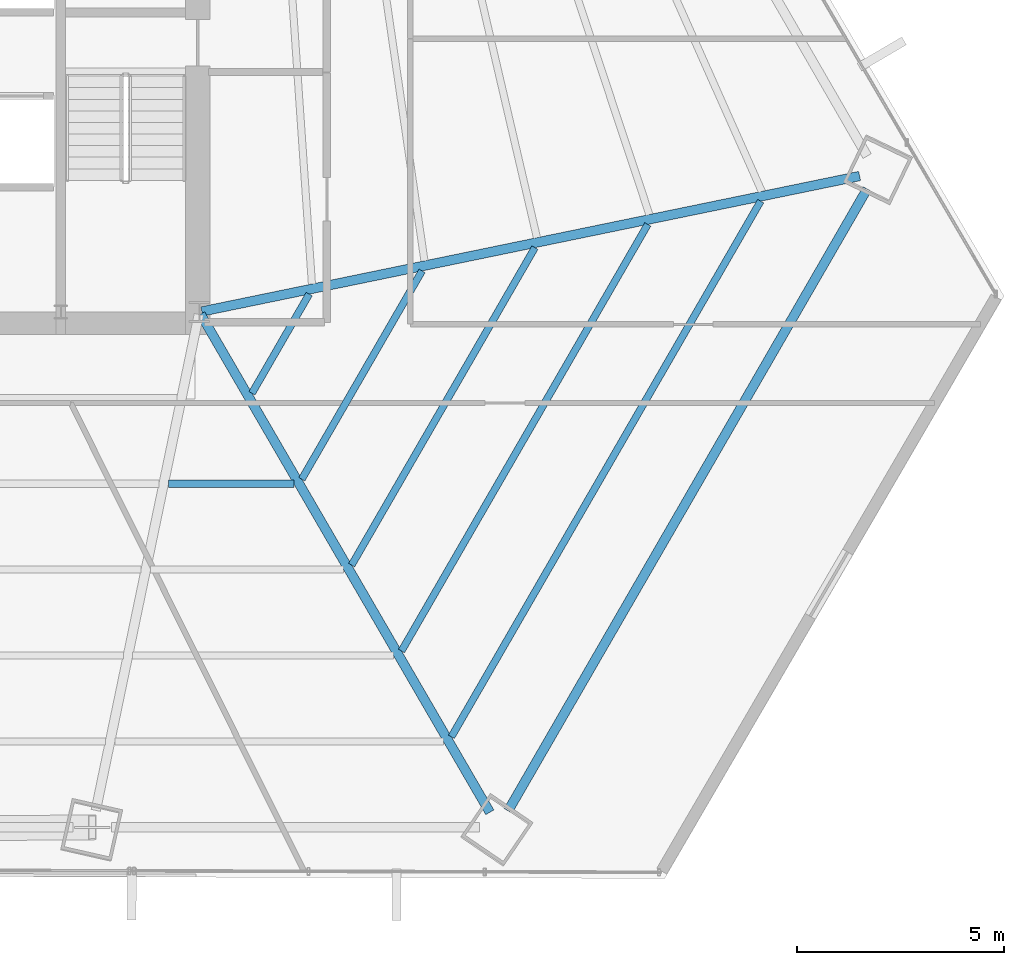
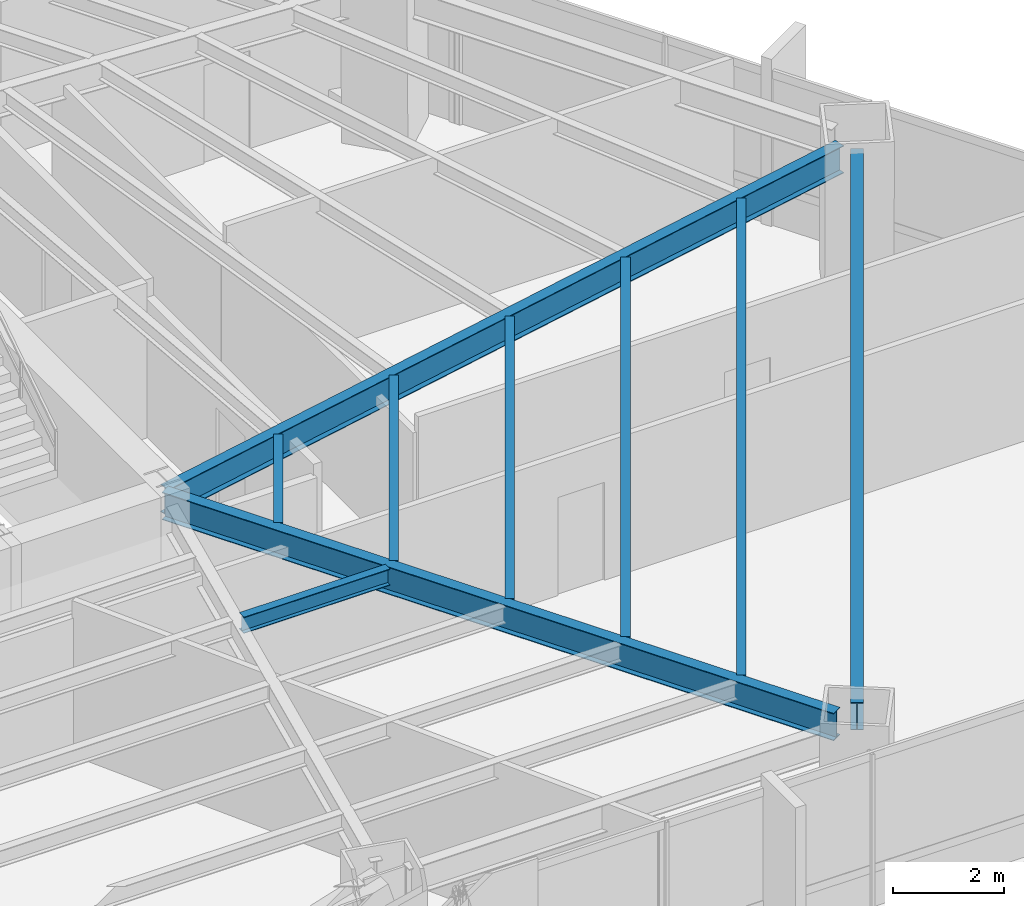
# One storey, part 13 of 29: 9 beams.
"""IFC4 building model written with IfcOpenShell, lengths in metres."""

from ifc_helpers import new_model, si_unit, direction, frame, origin, origin_2d, place, context, subcontext, project, spatial, i_section, extrude, source, transform, mapped, material, material_profile, profile_set, type_object, type_shapes, element, save


model = new_model("IFC4")

# Units and contexts
model_context = context("Model", 3, precision=1e-05, world=origin(), true_north=direction((0.0, 1.0)))
body_context = subcontext(model_context, "Body", "Model", "MODEL_VIEW")
ifc_project = project(units=[si_unit("LENGTHUNIT", "METRE"), si_unit("AREAUNIT", "SQUARE_METRE"), si_unit("VOLUMEUNIT", "CUBIC_METRE"), si_unit("PLANEANGLEUNIT", "RADIAN"), si_unit("MASSUNIT", "GRAM", prefix="KILO")], contexts=[model_context])

# Site, building, storey
site_placement = place(None, origin())
site = spatial("IfcSite", under=ifc_project, at=site_placement, CompositionType="ELEMENT")
building_placement = place(site_placement, origin())
building = spatial("IfcBuilding", under=site, at=building_placement, Name="Caelisora Broadcast Tower", CompositionType="ELEMENT")
storey_placement = place(building_placement, frame((0.0, 0.0, 31.25)))
storey = spatial("IfcBuildingStorey", under=building, at=storey_placement, Name="L07", CompositionType="ELEMENT", Elevation=31.25)

# Beams
ifc_material = material(Name="Steel Grade 350 (AS/NZS 3679.1)", Category="steel")
ifc_material_profile_1 = material_profile(ifc_material, i_section(OverallWidth=0.22900390625, OverallDepth=0.611572265625, WebThickness=0.011962890625, FlangeThickness=0.01953125, at=origin_2d()), Name="Steel Grade 350 (AS/NZS 3679.1)")
ifc_profile_set_1 = profile_set([ifc_material_profile_1], Name="Steel Grade 350 (AS/NZS 3679.1)")
beam_type_1 = type_object("IfcBeamType", Name="PG03", PredefinedType="BEAM", material=ifc_profile_set_1)
shared_shape_1 = source(origin(), body_context, "Body", "SweptSolid", [
    extrude(i_section(OverallWidth=0.22900390625, OverallDepth=0.611572265625, WebThickness=0.011962890625, FlangeThickness=0.01953125, at=origin_2d()), origin(), (0.0, 0.0, 1.0), 17.354248046875),
])
type_shapes(beam_type_1, [shared_shape_1])
beam_1_placement = place(storey_placement, frame((52.960693359375, 5.343017578125, 3.09423828125), z_axis=(0.499992798144, 0.866029561738, 0.0), x_axis=(-0.866029561738, 0.499992798144, 0.0)))
element("IfcBeam", 1, at=beam_1_placement, inside=storey, type_object=beam_type_1, Name="L07 beam PG03", PredefinedType="BEAM", context=body_context, shape_type="MappedRepresentation", body=[
    mapped(shared_shape_1, transform((0.0, 0.0, 0.0), scale=1.0)),
])
ifc_material_profile_2 = material_profile(ifc_material, i_section(OverallWidth=0.22802734375, OverallDepth=0.602294921875, WebThickness=0.010498046875, FlangeThickness=0.014892578125, at=origin_2d()), Name="Steel Grade 350 (AS/NZS 3679.1)")
ifc_profile_set_2 = profile_set([ifc_material_profile_2], Name="Steel Grade 350 (AS/NZS 3679.1)")
beam_type_2 = type_object("IfcBeamType", Name="PG04", PredefinedType="BEAM", material=ifc_profile_set_2)
shared_shape_2 = source(origin(), body_context, "Body", "SweptSolid", [
    extrude(i_section(OverallWidth=0.22802734375, OverallDepth=0.602294921875, WebThickness=0.010498046875, FlangeThickness=0.014892578125, at=origin_2d()), origin(), (0.0, 0.0, 1.0), 16.23095703125),
])
beam_2_placement = place(storey_placement, frame((45.558837890625, 17.412109375, 3.098876953125), z_axis=(0.979448828857, 0.201692815071, 0.0), x_axis=(-0.201692815071, 0.979448828857, 0.0)))
element("IfcBeam", 2, at=beam_2_placement, inside=storey, type_object=beam_type_2, Name="L07 beam PG04", PredefinedType="BEAM", context=body_context, shape_type="MappedRepresentation", body=[
    mapped(shared_shape_2, transform((0.0, 0.0, 0.0), scale=1.0)),
])
shared_shape_3 = source(origin(), body_context, "Body", "SweptSolid", [
    extrude(i_section(OverallWidth=0.22802734375, OverallDepth=0.602294921875, WebThickness=0.010498046875, FlangeThickness=0.014892578125, at=origin_2d()), origin(), (0.0, 0.0, 1.0), 13.922119140625),
])
type_shapes(beam_type_2, [shared_shape_2, shared_shape_3])
beam_3_placement = place(storey_placement, frame((45.530029296875, 17.34814453125, 3.098876953125), z_axis=(0.502061058373, -0.86483217659, 0.0), x_axis=(0.86483217659, 0.502061058373, 0.0)))
element("IfcBeam", 3, at=beam_3_placement, inside=storey, type_object=beam_type_2, Name="L07 beam PG04", PredefinedType="BEAM", context=body_context, shape_type="MappedRepresentation", body=[
    mapped(shared_shape_3, transform((0.0, 0.0, 0.0), scale=1.0)),
])
ifc_material_profile_3 = material_profile(ifc_material, i_section(OverallWidth=0.172119140625, OverallDepth=0.358642578125, WebThickness=0.008056640625, FlangeThickness=0.012939453125, at=origin_2d()), Name="Steel Grade 350 (AS/NZS 3679.1)")
ifc_profile_set_3 = profile_set([ifc_material_profile_3], Name="Steel Grade 350 (AS/NZS 3679.1)")
beam_type_3 = type_object("IfcBeamType", Name="SB02", PredefinedType="JOIST", material=ifc_profile_set_3)
shared_shape_4 = source(origin(), body_context, "Body", "SweptSolid", [
    extrude(i_section(OverallWidth=0.172119140625, OverallDepth=0.358642578125, WebThickness=0.008056640625, FlangeThickness=0.012939453125, at=origin_2d()), origin(), (0.0, 0.0, 1.0), 2.767822265625),
])
beam_4_placement = place(storey_placement, frame((46.769287109375, 15.435302734375, 3.220703125), z_axis=(0.500038041997, 0.866003439113, 0.0), x_axis=(-0.866003439113, 0.500038041997, 0.0)))
element("IfcBeam", 4, at=beam_4_placement, inside=storey, type_object=beam_type_3, Name="L07 beam SB02", PredefinedType="JOIST", context=body_context, shape_type="MappedRepresentation", body=[
    mapped(shared_shape_4, transform((0.0, 0.0, 0.0), scale=1.0)),
])
shared_shape_5 = source(origin(), body_context, "Body", "SweptSolid", [
    extrude(i_section(OverallWidth=0.172119140625, OverallDepth=0.358642578125, WebThickness=0.008056640625, FlangeThickness=0.012939453125, at=origin_2d()), origin(), (0.0, 0.0, 1.0), 5.813232421875),
])
beam_5_placement = place(storey_placement, frame((47.974609375, 13.359619140625, 3.220703125), z_axis=(0.499982993942, 0.866035222014, 0.0), x_axis=(-0.866035222014, 0.499982993942, 0.0)))
element("IfcBeam", 5, at=beam_5_placement, inside=storey, type_object=beam_type_3, Name="L07 beam SB02", PredefinedType="JOIST", context=body_context, shape_type="MappedRepresentation", body=[
    mapped(shared_shape_5, transform((0.0, 0.0, 0.0), scale=1.0)),
])
shared_shape_6 = source(origin(), body_context, "Body", "SweptSolid", [
    extrude(i_section(OverallWidth=0.172119140625, OverallDepth=0.358642578125, WebThickness=0.008056640625, FlangeThickness=0.012939453125, at=origin_2d()), origin(), (0.0, 0.0, 1.0), 8.85888671875),
])
beam_6_placement = place(storey_placement, frame((49.1796875, 11.28369140625, 3.220703125), z_axis=(0.499995200475, 0.866028174774, 0.0), x_axis=(-0.866028174774, 0.499995200475, 0.0)))
element("IfcBeam", 6, at=beam_6_placement, inside=storey, type_object=beam_type_3, Name="L07 beam SB02", PredefinedType="JOIST", context=body_context, shape_type="MappedRepresentation", body=[
    mapped(shared_shape_6, transform((0.0, 0.0, 0.0), scale=1.0)),
])
shared_shape_7 = source(origin(), body_context, "Body", "SweptSolid", [
    extrude(i_section(OverallWidth=0.172119140625, OverallDepth=0.358642578125, WebThickness=0.008056640625, FlangeThickness=0.012939453125, at=origin_2d()), origin(), (0.0, 0.0, 1.0), 11.90478515625),
])
beam_7_placement = place(storey_placement, frame((50.384765625, 9.207763671875, 3.220703125), z_axis=(0.500001160984, 0.866024733489, 0.0), x_axis=(-0.866024733489, 0.500001160984, 0.0)))
element("IfcBeam", 7, at=beam_7_placement, inside=storey, type_object=beam_type_3, Name="L07 beam SB02", PredefinedType="JOIST", context=body_context, shape_type="MappedRepresentation", body=[
    mapped(shared_shape_7, transform((0.0, 0.0, 0.0), scale=1.0)),
])
shared_shape_8 = source(origin(), body_context, "Body", "SweptSolid", [
    extrude(i_section(OverallWidth=0.172119140625, OverallDepth=0.358642578125, WebThickness=0.008056640625, FlangeThickness=0.012939453125, at=origin_2d()), origin(), (0.0, 0.0, 1.0), 14.950439453125),
])
beam_8_placement = place(storey_placement, frame((51.58984375, 7.1318359375, 3.220703125), z_axis=(0.500004692883, 0.86602269433, 0.0), x_axis=(-0.86602269433, 0.500004692883, 0.0)))
element("IfcBeam", 8, at=beam_8_placement, inside=storey, type_object=beam_type_3, Name="L07 beam SB02", PredefinedType="JOIST", context=body_context, shape_type="MappedRepresentation", body=[
    mapped(shared_shape_8, transform((0.0, 0.0, 0.0), scale=1.0)),
])
shared_shape_9 = source(origin(), body_context, "Body", "SweptSolid", [
    extrude(i_section(OverallWidth=0.172119140625, OverallDepth=0.358642578125, WebThickness=0.008056640625, FlangeThickness=0.012939453125, at=origin_2d()), origin(), (0.0, 0.0, 1.0), 3.031494140625),
])
type_shapes(beam_type_3, [shared_shape_4, shared_shape_5, shared_shape_6, shared_shape_7, shared_shape_8, shared_shape_9])
beam_9_placement = place(storey_placement, frame((44.75, 13.248291015625, 3.220703125), z_axis=(1.0, 0.0, 0.0), x_axis=(0.0, 1.0, 0.0)))
element("IfcBeam", 9, at=beam_9_placement, inside=storey, type_object=beam_type_3, Name="L07 beam SB02", PredefinedType="JOIST", context=body_context, shape_type="MappedRepresentation", body=[
    mapped(shared_shape_9, transform((0.0, 0.0, 0.0), scale=1.0)),
])

save(model, "model.ifc")
